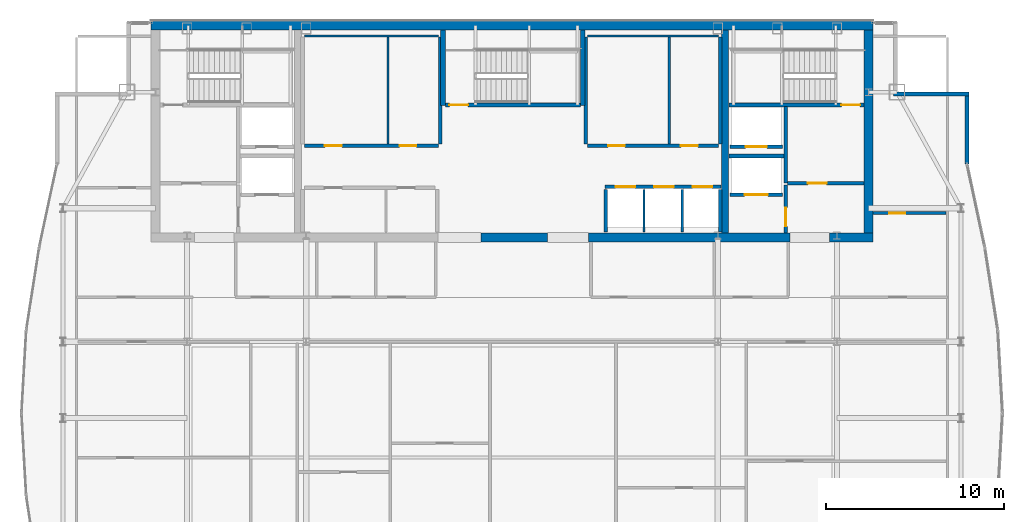
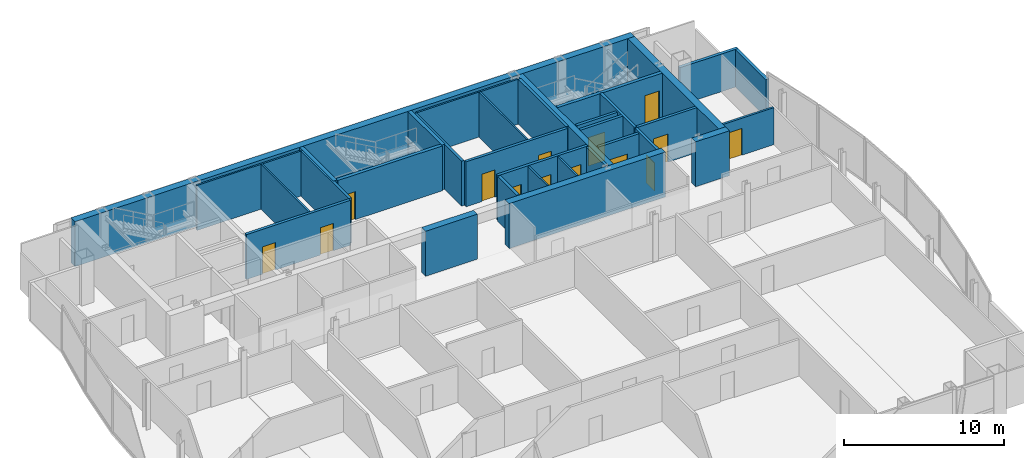
# One storey, part 26 of 29: 33 walls, 14 doors, 14 openings.
"""IFC4 building model written with IfcOpenShell, lengths in metres."""

import ifcopenshell
import ifcopenshell.guid

model = None  # the IFC model being written
_history = None  # IfcOwnerHistory: only IFC2X3 demands one
_inside = {}  # id of a spatial element -> (the spatial element, [elements in it])
_under = {}  # id of a project, library or spatial element -> (it, [spatial elements below it])
_declared = {}  # id of a project -> (the project, [libraries it declares])
_typed = {}  # id of a type object -> (the type object, [elements of that type])
_made_of = {}  # id of a material, layer set ... -> (it, [elements and type objects made of it])


def new_model(schema):
    """Start an empty IFC model of exactly this schema.

    Asked for "IFC4X3", IfcOpenShell would pick the latest addendum, in which some entities
    have other attributes; the version numbers below select the first issue.
    IFC2X3 requires an IfcOwnerHistory on every rooted entity: one is made here for all.
    """
    global model, _history
    if schema == "IFC4X3":
        model = ifcopenshell.file(schema_version=(4, 3, 0, 0))
    else:
        model = ifcopenshell.file(schema=schema)
    _inside.clear()
    _under.clear()
    _declared.clear()
    _typed.clear()
    _made_of.clear()
    _history = None
    if model.schema == "IFC2X3":
        org = make("IfcOrganization", Name="unknown")
        user = make(
            "IfcPersonAndOrganization",
            ThePerson=make("IfcPerson", FamilyName="unknown"),
            TheOrganization=org,
        )
        app = make(
            "IfcApplication",
            ApplicationDeveloper=org,
            Version="unknown",
            ApplicationFullName="unknown",
            ApplicationIdentifier="unknown",
        )
        _history = make(
            "IfcOwnerHistory",
            OwningUser=user,
            OwningApplication=app,
            ChangeAction="ADDED",
            CreationDate=0,
        )
    return model


def make(cls, **values):
    """One entity of the class cls with the attributes given. An attribute that is None is left unset."""
    return model.create_entity(
        cls, **{name: value for name, value in values.items() if value is not None}
    )


def rooted(cls, **values):
    """An entity with a GlobalId (a new one), such as an element, a storey or a relation."""
    return make(cls, GlobalId=ifcopenshell.guid.new(), OwnerHistory=_history, **values)


def si_unit(unit_type, name, prefix=None):
    """IfcSIUnit, for example si_unit("LENGTHUNIT", "METRE", prefix="MILLI")."""
    return make("IfcSIUnit", UnitType=unit_type, Prefix=prefix, Name=name)


def assignment(units):
    """IfcUnitAssignment: the units of a project."""
    return None if units is None else make("IfcUnitAssignment", Units=units)


def point(xyz):
    """IfcCartesianPoint."""
    return None if xyz is None else make("IfcCartesianPoint", Coordinates=xyz)


def direction(xyz):
    """IfcDirection."""
    return None if xyz is None else make("IfcDirection", DirectionRatios=xyz)


def frame(location, z_axis=None, x_axis=None):
    """IfcAxis2Placement3D, a coordinate frame: its origin and axes. An axis left out is left unset."""
    return make(
        "IfcAxis2Placement3D",
        Location=point(location),
        Axis=direction(z_axis),
        RefDirection=direction(x_axis),
    )


def frame_2d(location, x_axis=None):
    """IfcAxis2Placement2D, a coordinate frame in the plane: its origin and x axis."""
    return make(
        "IfcAxis2Placement2D", Location=point(location), RefDirection=direction(x_axis)
    )


def origin():
    """The frame at (0, 0, 0) with its axes left unset."""
    return frame((0.0, 0.0, 0.0))


def place(relative_to, where):
    """IfcLocalPlacement: puts the frame where relative to a parent placement (None: the world)."""
    return make(
        "IfcLocalPlacement", PlacementRelTo=relative_to, RelativePlacement=where
    )


def context(
    kind, dimensions, precision=None, world=None, true_north=None, identifier=None
):
    """IfcGeometricRepresentationContext, for example the 3D "Model" context."""
    return make(
        "IfcGeometricRepresentationContext",
        ContextIdentifier=identifier,
        ContextType=kind,
        CoordinateSpaceDimension=dimensions,
        Precision=precision,
        WorldCoordinateSystem=world,
        TrueNorth=true_north,
    )


def subcontext(parent, identifier, kind, view, scale=None):
    """IfcGeometricRepresentationSubContext, for example "Body" below "Model"."""
    return make(
        "IfcGeometricRepresentationSubContext",
        ContextIdentifier=identifier,
        ContextType=kind,
        ParentContext=parent,
        TargetScale=scale,
        TargetView=view,
    )


def project(units=None, contexts=None):
    """IfcProject with its units and contexts."""
    return rooted(
        "IfcProject",
        Name="project",
        RepresentationContexts=contexts,
        UnitsInContext=assignment(units),
    )


def spatial(cls, under=None, at=None, **own):
    """A site, building, storey or space (cls), placed at a placement, below another one or the project."""
    s = rooted(cls, ObjectPlacement=at, **own)
    if under is not None:
        _under.setdefault(under.id(), (under, []))[1].append(s)
    return s


def profile(cls, at=None, kind="AREA", **sizes):
    """A parametric profile (cls). Its sizes go by their IFC names, for example OverallWidth=200.0."""
    return make(cls, ProfileType=kind, Position=at, **sizes)


def rectangle(**sizes):
    """IfcRectangleProfileDef."""
    return profile("IfcRectangleProfileDef", **sizes)


def extrude(swept, where, along, depth):
    """IfcExtrudedAreaSolid: the profile swept, set in the frame where, extruded along a direction by depth."""
    return make(
        "IfcExtrudedAreaSolid",
        SweptArea=swept,
        Position=where,
        ExtrudedDirection=direction(along),
        Depth=depth,
    )


def shape(context_of_items, identifier, shape_type, items):
    """IfcShapeRepresentation: the items that make up one representation, for example the "Body"."""
    return make(
        "IfcShapeRepresentation",
        ContextOfItems=context_of_items,
        RepresentationIdentifier=identifier,
        RepresentationType=shape_type,
        Items=items,
    )


def material(Name=None, Category=None):
    """IfcMaterial."""
    return make("IfcMaterial", Name=Name, Category=Category)


def layer(
    of_material, thickness, ventilated=None, Name=None, Category=None, Priority=None
):
    """IfcMaterialLayer: one layer of a wall or slab, of a material (None: an air gap)."""
    return make(
        "IfcMaterialLayer",
        Material=of_material,
        LayerThickness=thickness,
        IsVentilated=ventilated,
        Name=Name,
        Category=Category,
        Priority=Priority,
    )


def layer_set(layers, Name=None):
    """IfcMaterialLayerSet."""
    return make("IfcMaterialLayerSet", MaterialLayers=layers, LayerSetName=Name)


def made_of(thing, what):
    """Note that an element or type object is made of a material, layer set ...; save() writes the relation."""
    if what is not None:
        _made_of.setdefault(what.id(), (what, []))[1].append(thing)
    return thing


def type_object(cls, material=None, **own):
    """A type object (cls), such as IfcWallType, which elements share."""
    return made_of(rooted(cls, **own), material)


def element(
    cls,
    number,
    at=None,
    inside=None,
    cuts=None,
    type_object=None,
    material=None,
    context=None,
    identifier="Body",
    shape_type=None,
    held_by="IfcProductDefinitionShape",
    body=None,
    shapes=None,
    **own,
):
    """One element of the class cls, such as IfcWall. Its Tag is "e" and its number.

    at: its placement. inside: the storey or other place that contains it. cuts: it is an
    opening in that element (IfcRelVoidsElement). A single representation is given by context,
    identifier, shape_type and body (its items); several are given by shapes. held_by: the class
    of the entity that holds the representations. save() writes the other relations.
    """
    e = rooted(cls, Tag="e%d" % number, ObjectPlacement=at, **own)
    if body is not None:
        shapes = [shape(context, identifier, shape_type, body)]
    if shapes is not None:
        e.Representation = make(held_by, Representations=shapes)
    if inside is not None:
        _inside.setdefault(inside.id(), (inside, []))[1].append(e)
    if cuts is not None:
        rooted(
            "IfcRelVoidsElement", RelatingBuildingElement=cuts, RelatedOpeningElement=e
        )
    if type_object is not None:
        _typed.setdefault(type_object.id(), (type_object, []))[1].append(e)
    return made_of(e, material)


def fill(opening, filler):
    """IfcRelFillsElement: the door or window that sits in an opening."""
    return rooted(
        "IfcRelFillsElement",
        RelatingOpeningElement=opening,
        RelatedBuildingElement=filler,
    )


def aggregate(whole, parts):
    """IfcRelAggregates: a whole, such as a stair, and the parts it consists of."""
    return rooted("IfcRelAggregates", RelatingObject=whole, RelatedObjects=parts)


def save(model, path):
    """Write the relations noted so far, then the file.

    IfcRelAggregates (storeys below a building ...), IfcRelContainedInSpatialStructure (elements
    in a storey), IfcRelDefinesByType, IfcRelAssociatesMaterial and IfcRelDeclares: one each for
    every whole, place, type object, material and project.
    """
    for whole, parts in _under.values():
        aggregate(whole, parts)
    for where, things in _inside.values():
        rooted(
            "IfcRelContainedInSpatialStructure",
            RelatedElements=things,
            RelatingStructure=where,
        )
    for kind, things in _typed.values():
        rooted("IfcRelDefinesByType", RelatedObjects=things, RelatingType=kind)
    for what, things in _made_of.values():
        rooted("IfcRelAssociatesMaterial", RelatedObjects=things, RelatingMaterial=what)
    for by, libraries in _declared.values():
        rooted("IfcRelDeclares", RelatingContext=by, RelatedDefinitions=libraries)
    model.write(path)


model = new_model("IFC4")

# Units and contexts
model_context = context("Model", 3, precision=1e-05, world=origin(), true_north=direction((0.0, 1.0)))
body_context = subcontext(model_context, "Body", "Model", "MODEL_VIEW")
ifc_project = project(units=[si_unit("LENGTHUNIT", "METRE"), si_unit("AREAUNIT", "SQUARE_METRE"), si_unit("VOLUMEUNIT", "CUBIC_METRE"), si_unit("PLANEANGLEUNIT", "RADIAN"), si_unit("MASSUNIT", "GRAM", prefix="KILO")], contexts=[model_context])

# Site, building, storey
site_placement = place(None, origin())
site = spatial("IfcSite", under=ifc_project, at=site_placement, CompositionType="ELEMENT")
building_placement = place(site_placement, origin())
building = spatial("IfcBuilding", under=site, at=building_placement, Name="Khoronbel Lancet Exchange", CompositionType="ELEMENT")
storey_placement = place(building_placement, frame((0.0, 0.0, 329.0)))
storey = spatial("IfcBuildingStorey", under=building, at=storey_placement, Name="L85", CompositionType="ELEMENT", Elevation=329.0)

# Walls
ifc_material_1 = material(Name="Concrete C60/75", Category="concrete")
ifc_layer_1 = layer(ifc_material_1, 0.5, Name="Concrete C60/75")
ifc_layer_set_1 = layer_set([ifc_layer_1], Name="Concrete C60/75")
wall_type_1 = type_object("IfcWallType", Name="WL-CW4", PredefinedType="SHEAR", material=ifc_layer_set_1)
wall_1_placement = place(storey_placement, frame((16.199951171875, 53.449951171875, 0.0), z_axis=(0.0, 0.0, 1.0), x_axis=(1.0, 0.0, 0.0)))
element("IfcWall", 1, at=wall_1_placement, inside=storey, type_object=wall_type_1, Name="Level L85 rear core north shear wall", PredefinedType="SHEAR", context=body_context, shape_type="SweptSolid", body=[
    extrude(rectangle(XDim=40.5, YDim=0.5, at=frame_2d((20.25, 0.0))), origin(), (0.0, 0.0, 1.0), 3.43994140625),
])
wall_2_placement = place(storey_placement, frame((56.449951171875, 53.199951171875, 0.0), z_axis=(0.0, 0.0, 1.0), x_axis=(0.0, -1.0, 0.0)))
element("IfcWall", 2, at=wall_2_placement, inside=storey, type_object=wall_type_1, Name="Level L85 rear core east shear wall", PredefinedType="SHEAR", context=body_context, shape_type="SweptSolid", body=[
    extrude(rectangle(XDim=11.39990234375, YDim=0.5, at=frame_2d((5.699951171875, 0.0))), origin(), (0.0, 0.0, 1.0), 3.43994140625),
])
wall_3_placement = place(storey_placement, frame((38.449951171875, 41.550048828125, 0.0), z_axis=(0.0, 0.0, 1.0), x_axis=(-1.0, 0.0, 0.0)))
element("IfcWall", 3, at=wall_3_placement, inside=storey, type_object=wall_type_1, Name="Level L85 rear core south shear wall pier P3", PredefinedType="SHEAR", context=body_context, shape_type="SweptSolid", body=[
    extrude(rectangle(XDim=3.75, YDim=0.5, at=frame_2d((1.875, 0.0))), origin(), (0.0, 0.0, 1.0), 3.43994140625),
])
wall_4_placement = place(storey_placement, frame((52.050048828125, 41.550048828125, 0.0), z_axis=(0.0, 0.0, 1.0), x_axis=(-1.0, 0.0, 0.0)))
element("IfcWall", 4, at=wall_4_placement, inside=storey, type_object=wall_type_1, Name="Level L85 rear core south shear wall pier P4", PredefinedType="SHEAR", context=body_context, shape_type="SweptSolid", body=[
    extrude(rectangle(XDim=11.300048828125, YDim=0.5, at=frame_2d((5.64990234375, 0.0))), origin(), (0.0, 0.0, 1.0), 3.43994140625),
])
wall_5_placement = place(storey_placement, frame((56.699951171875, 41.550048828125, 0.0), z_axis=(0.0, 0.0, 1.0), x_axis=(-1.0, 0.0, 0.0)))
element("IfcWall", 5, at=wall_5_placement, inside=storey, type_object=wall_type_1, Name="Level L85 rear core south shear wall pier P5", PredefinedType="SHEAR", context=body_context, shape_type="SweptSolid", body=[
    extrude(rectangle(XDim=2.449951171875, YDim=0.5, at=frame_2d((1.22509765625, 0.0))), origin(), (0.0, 0.0, 1.0), 3.43994140625),
])
ifc_material_2 = material(Name="Precast concrete C40/50", Category="concrete")
ifc_layer_2 = layer(ifc_material_2, 0.25, Name="Precast concrete C40/50")
ifc_layer_set_2 = layer_set([ifc_layer_2], Name="Precast concrete C40/50")
wall_type_2 = type_object("IfcWallType", Name="WL-EXT250", PredefinedType="SOLIDWALL", material=ifc_layer_set_2)
wall_6_placement = place(storey_placement, frame((57.85009765625, 49.610107421875, 0.0), z_axis=(0.0, 0.0, 1.0), x_axis=(1.0, 0.0, 0.0)))
element("IfcWall", 6, at=wall_6_placement, inside=storey, type_object=wall_type_2, Name="Level L85 notched-corner limestone pier 15", PredefinedType="SOLIDWALL", context=body_context, shape_type="SweptSolid", body=[
    extrude(rectangle(XDim=4.219970703125, YDim=0.219970703125, at=frame_2d((2.10986328125, 0.0))), origin(), (0.0, 0.0, 1.0), 2.8798828125),
])
wall_7_placement = place(storey_placement, frame((61.9599609375, 49.5, 0.0), z_axis=(0.0, 0.0, 1.0), x_axis=(0.0, -1.0, 0.0)))
element("IfcWall", 7, at=wall_7_placement, inside=storey, type_object=wall_type_2, Name="Level L85 notched-corner limestone pier 16", PredefinedType="SOLIDWALL", context=body_context, shape_type="SweptSolid", body=[
    extrude(rectangle(XDim=3.82958984375, YDim=0.219970703125, at=frame_2d((1.914794921875, 0.0))), origin(), (0.0, 0.0, 1.0), 2.8798828125),
])

# Wall, opening, door
ifc_material_3 = material(Name="Acoustic Metal-Stud & Mineral-Wool Gypsum Partition 120 mm", Category="gypsum")
ifc_layer_3 = layer(ifc_material_3, 0.1201171875, Name="Acoustic Metal-Stud & Mineral-Wool Gypsum Partition 120 mm")
ifc_layer_set_3 = layer_set([ifc_layer_3], Name="Acoustic Metal-Stud & Mineral-Wool Gypsum Partition 120 mm")
wall_type_3 = type_object("IfcWallType", Name="WL-PRT120", PredefinedType="PARTITIONING", material=ifc_layer_set_3)
wall_8_placement = place(storey_placement, frame((56.699951171875, 42.919921875, 0.0), z_axis=(0.0, 0.0, 1.0), x_axis=(1.0, 0.0, 0.0)))
wall_8 = element("IfcWall", 8, at=wall_8_placement, inside=storey, type_object=wall_type_3, Name="Level L85 interior partition PW-NE-H", PredefinedType="PARTITIONING", context=body_context, shape_type="SweptSolid", body=[
    extrude(rectangle(XDim=4.10498046875, YDim=0.14990234375, at=frame_2d((2.052490234375, 0.0))), origin(), (0.0, 0.0, 1.0), 2.830078125),
])
opening_1_placement = place(wall_8_placement, frame((0.89990234375, 0.0, 0.0)))
opening_1 = element("IfcOpeningElement", 9, at=opening_1_placement, cuts=wall_8, Name="Opening D5", PredefinedType="OPENING", context=body_context, shape_type="SweptSolid", body=[
    extrude(rectangle(XDim=0.89990234375, YDim=2.050048828125, at=frame_2d((0.449951171875, 1.02490234375))), frame((0.0, 0.0849609375, 0.0), z_axis=(0.0, -1.0, 0.0), x_axis=(1.0, 0.0, 0.0)), (0.0, 0.0, 1.0), 0.169921875),
])
ifc_material_4 = material(Name="Acoustic Timber Pantry & Support Door", Category="wood")
door_type_1 = type_object("IfcDoorType", Name="DR-D5", OperationType="NOTDEFINED", PredefinedType="DOOR", material=ifc_material_4)
door_1_placement = place(opening_1_placement, origin())
door_1 = element("IfcDoor", 10, at=door_1_placement, inside=storey, type_object=door_type_1, Name="NE north room door L85-1", OperationType="SINGLE_SWING_RIGHT", OverallHeight=2.050048828125, OverallWidth=0.89990234375, PredefinedType="DOOR", context=body_context, shape_type="SweptSolid", body=[
    extrude(rectangle(XDim=0.89990234375, YDim=2.050048828125, at=frame_2d((0.449951171875, 1.02490234375))), frame((0.0, 0.02490234375, 0.0), z_axis=(0.0, -1.0, 0.0), x_axis=(1.0, 0.0, 0.0)), (0.0, 0.0, 1.0), 0.050048828125),
])
fill(opening_1, door_1)

# Walls
ifc_material_5 = material(Name="Fire-Rated Metal-Stud & Mineral-Wool Gypsum Partition 120 mm", Category="gypsum")
ifc_layer_4 = layer(ifc_material_5, 0.1201171875, Name="Fire-Rated Metal-Stud & Mineral-Wool Gypsum Partition 120 mm")
ifc_layer_set_4 = layer_set([ifc_layer_4], Name="Fire-Rated Metal-Stud & Mineral-Wool Gypsum Partition 120 mm")
wall_type_4 = type_object("IfcWallType", Name="WL-PRT120F", PredefinedType="PARTITIONING", material=ifc_layer_set_4)
wall_9_placement = place(storey_placement, frame((24.804931640625, 52.860107421875, 0.0), z_axis=(0.0, 0.0, 1.0), x_axis=(1.0, 0.0, 0.0)))
element("IfcWall", 11, at=wall_9_placement, inside=storey, type_object=wall_type_4, Name="Level L85 interior partition CW-PL-RN", PredefinedType="PARTITIONING", context=body_context, shape_type="SweptSolid", body=[
    extrude(rectangle(XDim=7.510009765625, YDim=0.1201171875, at=frame_2d((3.7548828125, 0.0))), origin(), (0.0, 0.0, 1.0), 3.43994140625),
])
wall_10_placement = place(storey_placement, frame((29.486328125, 46.804931640625, 0.0), z_axis=(0.0, 0.0, 1.0), x_axis=(0.0, 1.0, 0.0)))
element("IfcWall", 12, at=wall_10_placement, inside=storey, type_object=wall_type_4, Name="Level L85 interior partition CW-PL-RS2", PredefinedType="PARTITIONING", context=body_context, shape_type="SweptSolid", body=[
    extrude(rectangle(XDim=5.989990234375, YDim=0.1201171875, at=frame_2d((2.9951171875, 0.0))), origin(), (0.0, 0.0, 1.0), 3.43994140625),
])
wall_11_placement = place(storey_placement, frame((40.68505859375, 52.860107421875, 0.0), z_axis=(0.0, 0.0, 1.0), x_axis=(1.0, 0.0, 0.0)))
element("IfcWall", 13, at=wall_11_placement, inside=storey, type_object=wall_type_4, Name="Level L85 interior partition CW-PH-RN", PredefinedType="PARTITIONING", context=body_context, shape_type="SweptSolid", body=[
    extrude(rectangle(XDim=7.349853515625, YDim=0.1201171875, at=frame_2d((3.6748046875, 0.0))), origin(), (0.0, 0.0, 1.0), 3.43994140625),
])
wall_12_placement = place(storey_placement, frame((45.26708984375, 46.804931640625, 0.0), z_axis=(0.0, 0.0, 1.0), x_axis=(0.0, 1.0, 0.0)))
element("IfcWall", 14, at=wall_12_placement, inside=storey, type_object=wall_type_4, Name="Level L85 interior partition CW-PH-RS2", PredefinedType="PARTITIONING", context=body_context, shape_type="SweptSolid", body=[
    extrude(rectangle(XDim=5.989990234375, YDim=0.1201171875, at=frame_2d((2.9951171875, 0.0))), origin(), (0.0, 0.0, 1.0), 3.43994140625),
])
for number, where, z_axis, x_axis, name in (
    (15, (43.860107421875, 41.85009765625, 0.0), (0.0, 0.0, 1.0), (0.0, 1.0, 0.0), "Level L85 interior partition CW-PX-D1"),
    (16, (46.0, 41.85009765625, 0.0), (0.0, 0.0, 1.0), (0.0, 1.0, 0.0), "Level L85 interior partition CW-PX-D2"),
):
    element("IfcWall", number, at=place(storey_placement, frame(where, z_axis=z_axis, x_axis=x_axis)), inside=storey, type_object=wall_type_4, Name=name, PredefinedType="PARTITIONING", context=body_context, shape_type="SweptSolid", body=[
        extrude(rectangle(XDim=2.39990234375, YDim=0.1201171875, at=frame_2d((1.199951171875, 0.0))), origin(), (0.0, 0.0, 1.0), 3.43994140625),
    ])

# Wall, openings, doors
ifc_material_6 = material(Name="Autoclaved Aerated Concrete Blockwork 200 mm", Category="masonry")
ifc_layer_5 = layer(ifc_material_6, 0.199951171875, Name="Autoclaved Aerated Concrete Blockwork 200 mm")
ifc_layer_set_5 = layer_set([ifc_layer_5], Name="Autoclaved Aerated Concrete Blockwork 200 mm")
wall_type_5 = type_object("IfcWallType", Name="WL-PRT200", PredefinedType="PARTITIONING", material=ifc_layer_set_5)
wall_13_placement = place(storey_placement, frame((41.679931640625, 44.39990234375, 0.0), z_axis=(0.0, 0.0, 1.0), x_axis=(1.0, 0.0, 0.0)))
wall_13 = element("IfcWall", 17, at=wall_13_placement, inside=storey, type_object=wall_type_5, Name="Level L85 elevator hoistway landing front wall PXE", PredefinedType="PARTITIONING", context=body_context, shape_type="SweptSolid", body=[
    extrude(rectangle(XDim=6.47998046875, YDim=0.199951171875, at=frame_2d((3.239990234375, 0.0))), origin(), (0.0, 0.0, 1.0), 3.43994140625),
])
opening_2_placement = place(wall_13_placement, frame((0.580078125, 0.0, 0.0)))
opening_2 = element("IfcOpeningElement", 18, at=opening_2_placement, cuts=wall_13, Name="Opening LD-PX1", PredefinedType="OPENING", context=body_context, shape_type="SweptSolid", body=[
    extrude(rectangle(XDim=1.10009765625, YDim=2.179931640625, at=frame_2d((0.550048828125, 1.08984375))), frame((0.0, 0.10986328125, 0.0), z_axis=(0.0, -1.0, 0.0), x_axis=(1.0, 0.0, 0.0)), (0.0, 0.0, 1.0), 0.219970703125),
])
opening_3_placement = place(wall_13_placement, frame((2.739990234375, 0.0, 0.0)))
opening_3 = element("IfcOpeningElement", 19, at=opening_3_placement, cuts=wall_13, Name="Opening LD-PX2", PredefinedType="OPENING", context=body_context, shape_type="SweptSolid", body=[
    extrude(rectangle(XDim=1.10009765625, YDim=2.179931640625, at=frame_2d((0.550048828125, 1.08984375))), frame((0.0, 0.10986328125, 0.0), z_axis=(0.0, -1.0, 0.0), x_axis=(1.0, 0.0, 0.0)), (0.0, 0.0, 1.0), 0.219970703125),
])
opening_4_placement = place(wall_13_placement, frame((4.89990234375, 0.0, 0.0)))
opening_4 = element("IfcOpeningElement", 20, at=opening_4_placement, cuts=wall_13, Name="Opening LD-PX3", PredefinedType="OPENING", context=body_context, shape_type="SweptSolid", body=[
    extrude(rectangle(XDim=1.10009765625, YDim=2.179931640625, at=frame_2d((0.550048828125, 1.08984375))), frame((0.0, 0.10986328125, 0.0), z_axis=(0.0, -1.0, 0.0), x_axis=(1.0, 0.0, 0.0)), (0.0, 0.0, 1.0), 0.219970703125),
])
ifc_material_7 = material(Name="Brushed Bronze Bi-Parting Elevator Landing Door", Category="steel")
door_type_2 = type_object("IfcDoorType", Name="DR-LD-PAX", OperationType="NOTDEFINED", PredefinedType="DOOR", material=ifc_material_7)
door_2_placement = place(opening_2_placement, origin())
door_2 = element("IfcDoor", 21, at=door_2_placement, inside=storey, type_object=door_type_2, Name="Elevator landing sliding door LD-PX1 L85", OperationType="SLIDING_TO_LEFT", OverallHeight=2.179931640625, OverallWidth=1.10009765625, PredefinedType="DOOR", context=body_context, shape_type="SweptSolid", body=[
    extrude(rectangle(XDim=1.10009765625, YDim=2.179931640625, at=frame_2d((0.550048828125, 1.08984375))), frame((0.0, 0.02490234375, 0.0), z_axis=(0.0, -1.0, 0.0), x_axis=(1.0, 0.0, 0.0)), (0.0, 0.0, 1.0), 0.050048828125),
])
fill(opening_2, door_2)
door_3_placement = place(opening_3_placement, origin())
door_3 = element("IfcDoor", 22, at=door_3_placement, inside=storey, type_object=door_type_2, Name="Elevator landing sliding door LD-PX2 L85", OperationType="SLIDING_TO_LEFT", OverallHeight=2.179931640625, OverallWidth=1.10009765625, PredefinedType="DOOR", context=body_context, shape_type="SweptSolid", body=[
    extrude(rectangle(XDim=1.10009765625, YDim=2.179931640625, at=frame_2d((0.550048828125, 1.08984375))), frame((0.0, 0.02490234375, 0.0), z_axis=(0.0, -1.0, 0.0), x_axis=(1.0, 0.0, 0.0)), (0.0, 0.0, 1.0), 0.050048828125),
])
fill(opening_3, door_3)
door_4_placement = place(opening_4_placement, origin())
door_4 = element("IfcDoor", 23, at=door_4_placement, inside=storey, type_object=door_type_2, Name="Elevator landing sliding door LD-PX3 L85", OperationType="SLIDING_TO_LEFT", OverallHeight=2.179931640625, OverallWidth=1.10009765625, PredefinedType="DOOR", context=body_context, shape_type="SweptSolid", body=[
    extrude(rectangle(XDim=1.10009765625, YDim=2.179931640625, at=frame_2d((0.550048828125, 1.08984375))), frame((0.0, 0.02490234375, 0.0), z_axis=(0.0, -1.0, 0.0), x_axis=(1.0, 0.0, 0.0)), (0.0, 0.0, 1.0), 0.050048828125),
])
fill(opening_4, door_4)

# Wall, opening, door
wall_14_placement = place(storey_placement, frame((51.610107421875, 43.949951171875, 0.0), z_axis=(0.0, 0.0, 1.0), x_axis=(-1.0, 0.0, 0.0)))
wall_14 = element("IfcWall", 24, at=wall_14_placement, inside=storey, type_object=wall_type_5, Name="Level L85 elevator hoistway landing front wall SVLE", PredefinedType="PARTITIONING", context=body_context, shape_type="SweptSolid", body=[
    extrude(rectangle(XDim=2.920166015625, YDim=0.199951171875, at=frame_2d((1.4599609375, 0.0))), origin(), (0.0, 0.0, 1.0), 3.43994140625),
])
opening_5_placement = place(wall_14_placement, frame((0.81005859375, 0.0, 0.0)))
opening_5 = element("IfcOpeningElement", 25, at=opening_5_placement, cuts=wall_14, Name="Opening LD-SVL2", PredefinedType="OPENING", context=body_context, shape_type="SweptSolid", body=[
    extrude(rectangle(XDim=1.300048828125, YDim=2.179931640625, at=frame_2d((0.64990234375, 1.08984375))), frame((0.0, 0.10986328125, 0.0), z_axis=(0.0, -1.0, 0.0), x_axis=(1.0, 0.0, 0.0)), (0.0, 0.0, 1.0), 0.219970703125),
])
ifc_material_8 = material(Name="Heavy-Duty Bi-Parting Goods Lift Landing Door", Category="steel")
door_type_3 = type_object("IfcDoorType", Name="DR-LD-SVL", OperationType="NOTDEFINED", PredefinedType="DOOR", material=ifc_material_8)
door_5_placement = place(opening_5_placement, origin())
door_5 = element("IfcDoor", 26, at=door_5_placement, inside=storey, type_object=door_type_3, Name="Elevator landing sliding door LD-SVL2 L85", OperationType="SLIDING_TO_LEFT", OverallHeight=2.179931640625, OverallWidth=1.300048828125, PredefinedType="DOOR", context=body_context, shape_type="SweptSolid", body=[
    extrude(rectangle(XDim=1.300048828125, YDim=2.179931640625, at=frame_2d((0.64990234375, 1.08984375))), frame((0.0, 0.02490234375, 0.0), z_axis=(0.0, -1.0, 0.0), x_axis=(1.0, 0.0, 0.0)), (0.0, 0.0, 1.0), 0.050048828125),
])
fill(opening_5, door_5)

wall_15_placement = place(storey_placement, frame((51.610107421875, 46.64990234375, 0.0), z_axis=(0.0, 0.0, 1.0), x_axis=(-1.0, 0.0, 0.0)))
wall_15 = element("IfcWall", 27, at=wall_15_placement, inside=storey, type_object=wall_type_5, Name="Level L85 elevator hoistway landing front wall FFLE", PredefinedType="PARTITIONING", context=body_context, shape_type="SweptSolid", body=[
    extrude(rectangle(XDim=2.920166015625, YDim=0.199951171875, at=frame_2d((1.4599609375, 0.0))), origin(), (0.0, 0.0, 1.0), 3.43994140625),
])
opening_6_placement = place(wall_15_placement, frame((0.860107421875, 0.0, 0.0)))
opening_6 = element("IfcOpeningElement", 28, at=opening_6_placement, cuts=wall_15, Name="Opening LD-FFL2", PredefinedType="OPENING", context=body_context, shape_type="SweptSolid", body=[
    extrude(rectangle(XDim=1.199951171875, YDim=2.179931640625, at=frame_2d((0.60009765625, 1.08984375))), frame((0.0, 0.10986328125, 0.0), z_axis=(0.0, -1.0, 0.0), x_axis=(1.0, 0.0, 0.0)), (0.0, 0.0, 1.0), 0.219970703125),
])
ifc_material_9 = material(Name="Fire-Rated Stainless Bi-Parting Firefighting Lift Door", Category="steel")
door_type_4 = type_object("IfcDoorType", Name="DR-LD-FFL", OperationType="NOTDEFINED", PredefinedType="DOOR", material=ifc_material_9)
door_6_placement = place(opening_6_placement, origin())
door_6 = element("IfcDoor", 29, at=door_6_placement, inside=storey, type_object=door_type_4, Name="Elevator landing sliding door LD-FFL2 L85", OperationType="SLIDING_TO_LEFT", OverallHeight=2.179931640625, OverallWidth=1.199951171875, PredefinedType="DOOR", context=body_context, shape_type="SweptSolid", body=[
    extrude(rectangle(XDim=1.199951171875, YDim=2.179931640625, at=frame_2d((0.60009765625, 1.08984375))), frame((0.0, 0.02490234375, 0.0), z_axis=(0.0, -1.0, 0.0), x_axis=(1.0, 0.0, 0.0)), (0.0, 0.0, 1.0), 0.050048828125),
])
fill(opening_6, door_6)

# Wall
wall_16_placement = place(storey_placement, frame((51.800048828125, 44.60009765625, 0.0), z_axis=(0.0, 0.0, 1.0), x_axis=(0.0, 1.0, 0.0)))
element("IfcWall", 30, at=wall_16_placement, inside=storey, type_object=wall_type_5, Name="Level L85 interior partition CW-FFLE-W", PredefinedType="PARTITIONING", context=body_context, shape_type="SweptSolid", body=[
    extrude(rectangle(XDim=4.2998046875, YDim=0.199951171875, at=frame_2d((2.14990234375, 0.0))), origin(), (0.0, 0.0, 1.0), 3.43994140625),
])

# Wall, opening, door
wall_17_placement = place(storey_placement, frame((51.89990234375, 44.60009765625, 0.0), z_axis=(0.0, 0.0, 1.0), x_axis=(1.0, 0.0, 0.0)))
wall_17 = element("IfcWall", 31, at=wall_17_placement, inside=storey, type_object=wall_type_5, Name="Level L85 interior partition CW-FFLE-S", PredefinedType="PARTITIONING", context=body_context, shape_type="SweptSolid", body=[
    extrude(rectangle(XDim=4.300048828125, YDim=0.199951171875, at=frame_2d((2.14990234375, 0.0))), origin(), (0.0, 0.0, 1.0), 3.43994140625),
])
opening_7_placement = place(wall_17_placement, frame((1.14990234375, 0.0, 0.0)))
opening_7 = element("IfcOpeningElement", 32, at=opening_7_placement, cuts=wall_17, Name="Opening FD1", PredefinedType="OPENING", context=body_context, shape_type="SweptSolid", body=[
    extrude(rectangle(XDim=1.050048828125, YDim=2.14990234375, at=frame_2d((0.52490234375, 1.074951171875))), frame((0.0, 0.10986328125, 0.0), z_axis=(0.0, -1.0, 0.0), x_axis=(1.0, 0.0, 0.0)), (0.0, 0.0, 1.0), 0.219970703125),
])
ifc_material_10 = material(Name="Fire-Rated Painted Steel Door Assembly", Category="steel")
door_type_5 = type_object("IfcDoorType", Name="DR-FD1", OperationType="NOTDEFINED", PredefinedType="DOOR", material=ifc_material_10)
door_7_placement = place(opening_7_placement, origin())
door_7 = element("IfcDoor", 33, at=door_7_placement, inside=storey, type_object=door_type_5, Name="East firefighting lobby FD90S door L85-1", OperationType="SINGLE_SWING_RIGHT", OverallHeight=2.14990234375, OverallWidth=1.050048828125, PredefinedType="DOOR", context=body_context, shape_type="SweptSolid", body=[
    extrude(rectangle(XDim=1.050048828125, YDim=2.14990234375, at=frame_2d((0.52490234375, 1.074951171875))), frame((0.0, 0.02490234375, 0.0), z_axis=(0.0, -1.0, 0.0), x_axis=(1.0, 0.0, 0.0)), (0.0, 0.0, 1.0), 0.050048828125),
])
fill(opening_7, door_7)

# Wall
wall_18_placement = place(storey_placement, frame((48.6298828125, 46.1201171875, 0.0), z_axis=(0.0, 0.0, 1.0), x_axis=(1.0, 0.0, 0.0)))
element("IfcWall", 34, at=wall_18_placement, inside=storey, type_object=wall_type_5, Name="Level L85 interior partition CW-FFL2-S", PredefinedType="PARTITIONING", context=body_context, shape_type="SweptSolid", body=[
    extrude(rectangle(XDim=3.070068359375, YDim=0.199951171875, at=frame_2d((1.53515625, 0.0))), origin(), (0.0, 0.0, 1.0), 3.43994140625),
])

# Wall, opening, door
wall_19_placement = place(storey_placement, frame((51.800048828125, 41.800048828125, 0.0), z_axis=(0.0, 0.0, 1.0), x_axis=(0.0, 1.0, 0.0)))
wall_19 = element("IfcWall", 35, at=wall_19_placement, inside=storey, type_object=wall_type_5, Name="Level L85 interior partition CW-SVLE-E", PredefinedType="PARTITIONING", context=body_context, shape_type="SweptSolid", body=[
    extrude(rectangle(XDim=2.695068359375, YDim=0.199951171875, at=frame_2d((1.34765625, 0.0))), origin(), (0.0, 0.0, 1.0), 3.43994140625),
])
opening_8_placement = place(wall_19_placement, frame((0.3798828125, 0.0, 0.0)))
opening_8 = element("IfcOpeningElement", 36, at=opening_8_placement, cuts=wall_19, Name="Opening FD1", PredefinedType="OPENING", context=body_context, shape_type="SweptSolid", body=[
    extrude(rectangle(XDim=1.050048828125, YDim=2.14990234375, at=frame_2d((0.52490234375, 1.074951171875))), frame((0.0, 0.10986328125, 0.0), z_axis=(0.0, -1.0, 0.0), x_axis=(1.0, 0.0, 0.0)), (0.0, 0.0, 1.0), 0.219970703125),
])
door_8_placement = place(opening_8_placement, origin())
door_8 = element("IfcDoor", 37, at=door_8_placement, inside=storey, type_object=door_type_5, Name="East service lift lobby door L85-1", OperationType="SINGLE_SWING_LEFT", OverallHeight=2.14990234375, OverallWidth=1.050048828125, PredefinedType="DOOR", context=body_context, shape_type="SweptSolid", body=[
    extrude(rectangle(XDim=1.050048828125, YDim=2.14990234375, at=frame_2d((0.52490234375, 1.074951171875))), frame((0.0, 0.02490234375, 0.0), z_axis=(0.0, -1.0, 0.0), x_axis=(1.0, 0.0, 0.0)), (0.0, 0.0, 1.0), 0.050048828125),
])
fill(opening_8, door_8)

# Wall
wall_20_placement = place(storey_placement, frame((32.419921875, 46.804931640625, 0.0), z_axis=(0.0, 0.0, 1.0), x_axis=(0.0, 1.0, 0.0)))
element("IfcWall", 38, at=wall_20_placement, inside=storey, type_object=wall_type_5, Name="Level L85 interior partition CW-PL-RE", PredefinedType="PARTITIONING", context=body_context, shape_type="SweptSolid", body=[
    extrude(rectangle(XDim=5.989990234375, YDim=0.199951171875, at=frame_2d((2.9951171875, 0.0))), origin(), (0.0, 0.0, 1.0), 3.43994140625),
])

# Wall, openings, doors
wall_21_placement = place(storey_placement, frame((24.804931640625, 46.699951171875, 0.0), z_axis=(0.0, 0.0, 1.0), x_axis=(1.0, 0.0, 0.0)))
wall_21 = element("IfcWall", 39, at=wall_21_placement, inside=storey, type_object=wall_type_5, Name="Level L85 interior partition CW-PL-RF", PredefinedType="PARTITIONING", context=body_context, shape_type="SweptSolid", body=[
    extrude(rectangle(XDim=7.510009765625, YDim=0.199951171875, at=frame_2d((3.7548828125, 0.0))), origin(), (0.0, 0.0, 1.0), 3.43994140625),
])
opening_9_placement = place(wall_21_placement, frame((1.14990234375, 0.0, 0.0)))
opening_9 = element("IfcOpeningElement", 40, at=opening_9_placement, cuts=wall_21, Name="Opening FD3", PredefinedType="OPENING", context=body_context, shape_type="SweptSolid", body=[
    extrude(rectangle(XDim=0.949951171875, YDim=2.10009765625, at=frame_2d((0.47509765625, 1.050048828125))), frame((0.0, 0.10986328125, 0.0), z_axis=(0.0, -1.0, 0.0), x_axis=(1.0, 0.0, 0.0)), (0.0, 0.0, 1.0), 0.219970703125),
])
opening_10_placement = place(wall_21_placement, frame((5.33642578125, 0.0, 0.0)))
opening_10 = element("IfcOpeningElement", 41, at=opening_10_placement, cuts=wall_21, Name="Opening FD3", PredefinedType="OPENING", context=body_context, shape_type="SweptSolid", body=[
    extrude(rectangle(XDim=0.949951171875, YDim=2.10009765625, at=frame_2d((0.47509765625, 1.050048828125))), frame((0.0, 0.10986328125, 0.0), z_axis=(0.0, -1.0, 0.0), x_axis=(1.0, 0.0, 0.0)), (0.0, 0.0, 1.0), 0.219970703125),
])
ifc_material_11 = material(Name="Fire-Rated Steel Plant & Riser Door Assembly", Category="steel")
door_type_6 = type_object("IfcDoorType", Name="DR-FD3", OperationType="NOTDEFINED", PredefinedType="DOOR", material=ifc_material_11)
door_9_placement = place(opening_9_placement, origin())
door_9 = element("IfcDoor", 42, at=door_9_placement, inside=storey, type_object=door_type_6, Name="Reclaimed PL C door L85-1", OperationType="SINGLE_SWING_RIGHT", OverallHeight=2.10009765625, OverallWidth=0.949951171875, PredefinedType="DOOR", context=body_context, shape_type="SweptSolid", body=[
    extrude(rectangle(XDim=0.949951171875, YDim=2.10009765625, at=frame_2d((0.47509765625, 1.050048828125))), frame((0.0, 0.02490234375, 0.0), z_axis=(0.0, -1.0, 0.0), x_axis=(1.0, 0.0, 0.0)), (0.0, 0.0, 1.0), 0.050048828125),
])
fill(opening_9, door_9)
door_10_placement = place(opening_10_placement, origin())
door_10 = element("IfcDoor", 43, at=door_10_placement, inside=storey, type_object=door_type_6, Name="Reclaimed PL D door L85-2", OperationType="SINGLE_SWING_LEFT", OverallHeight=2.10009765625, OverallWidth=0.949951171875, PredefinedType="DOOR", context=body_context, shape_type="SweptSolid", body=[
    extrude(rectangle(XDim=0.949951171875, YDim=2.10009765625, at=frame_2d((0.47509765625, 1.050048828125))), frame((0.0, 0.02490234375, 0.0), z_axis=(0.0, -1.0, 0.0), x_axis=(1.0, 0.0, 0.0)), (0.0, 0.0, 1.0), 0.050048828125),
])
fill(opening_10, door_10)

# Walls
for number, where, z_axis, x_axis, name in (
    (44, (40.580078125, 46.804931640625, 0.0), (0.0, 0.0, 1.0), (0.0, 1.0, 0.0), "Level L85 interior partition CW-PH-RW"),
    (45, (48.139892578125, 46.804931640625, 0.0), (0.0, 0.0, 1.0), (0.0, 1.0, 0.0), "Level L85 interior partition CW-PH-RE"),
):
    element("IfcWall", number, at=place(storey_placement, frame(where, z_axis=z_axis, x_axis=x_axis)), inside=storey, type_object=wall_type_5, Name=name, PredefinedType="PARTITIONING", context=body_context, shape_type="SweptSolid", body=[
        extrude(rectangle(XDim=5.989990234375, YDim=0.199951171875, at=frame_2d((2.9951171875, 0.0))), origin(), (0.0, 0.0, 1.0), 3.43994140625),
    ])

# Wall, openings, doors
wall_22_placement = place(storey_placement, frame((40.68505859375, 46.699951171875, 0.0), z_axis=(0.0, 0.0, 1.0), x_axis=(1.0, 0.0, 0.0)))
wall_22 = element("IfcWall", 46, at=wall_22_placement, inside=storey, type_object=wall_type_5, Name="Level L85 interior partition CW-PH-RF", PredefinedType="PARTITIONING", context=body_context, shape_type="SweptSolid", body=[
    extrude(rectangle(XDim=7.349853515625, YDim=0.199951171875, at=frame_2d((3.6748046875, 0.0))), origin(), (0.0, 0.0, 1.0), 3.43994140625),
])
opening_11_placement = place(wall_22_placement, frame((1.14990234375, 0.0, 0.0)))
opening_11 = element("IfcOpeningElement", 47, at=opening_11_placement, cuts=wall_22, Name="Opening FD3", PredefinedType="OPENING", context=body_context, shape_type="SweptSolid", body=[
    extrude(rectangle(XDim=0.949951171875, YDim=2.10009765625, at=frame_2d((0.47509765625, 1.050048828125))), frame((0.0, 0.10986328125, 0.0), z_axis=(0.0, -1.0, 0.0), x_axis=(1.0, 0.0, 0.0)), (0.0, 0.0, 1.0), 0.219970703125),
])
opening_12_placement = place(wall_22_placement, frame((5.2373046875, 0.0, 0.0)))
opening_12 = element("IfcOpeningElement", 48, at=opening_12_placement, cuts=wall_22, Name="Opening FD3", PredefinedType="OPENING", context=body_context, shape_type="SweptSolid", body=[
    extrude(rectangle(XDim=0.949951171875, YDim=2.10009765625, at=frame_2d((0.47509765625, 1.050048828125))), frame((0.0, 0.10986328125, 0.0), z_axis=(0.0, -1.0, 0.0), x_axis=(1.0, 0.0, 0.0)), (0.0, 0.0, 1.0), 0.219970703125),
])
door_11_placement = place(opening_11_placement, origin())
door_11 = element("IfcDoor", 49, at=door_11_placement, inside=storey, type_object=door_type_6, Name="Reclaimed PH C door L85-1", OperationType="SINGLE_SWING_RIGHT", OverallHeight=2.10009765625, OverallWidth=0.949951171875, PredefinedType="DOOR", context=body_context, shape_type="SweptSolid", body=[
    extrude(rectangle(XDim=0.949951171875, YDim=2.10009765625, at=frame_2d((0.47509765625, 1.050048828125))), frame((0.0, 0.02490234375, 0.0), z_axis=(0.0, -1.0, 0.0), x_axis=(1.0, 0.0, 0.0)), (0.0, 0.0, 1.0), 0.050048828125),
])
fill(opening_11, door_11)
door_12_placement = place(opening_12_placement, origin())
door_12 = element("IfcDoor", 50, at=door_12_placement, inside=storey, type_object=door_type_6, Name="Reclaimed PH D door L85-2", OperationType="SINGLE_SWING_LEFT", OverallHeight=2.10009765625, OverallWidth=0.949951171875, PredefinedType="DOOR", context=body_context, shape_type="SweptSolid", body=[
    extrude(rectangle(XDim=0.949951171875, YDim=2.10009765625, at=frame_2d((0.47509765625, 1.050048828125))), frame((0.0, 0.02490234375, 0.0), z_axis=(0.0, -1.0, 0.0), x_axis=(1.0, 0.0, 0.0)), (0.0, 0.0, 1.0), 0.050048828125),
])
fill(opening_12, door_12)

# Walls
for number, where, z_axis, x_axis, name in (
    (51, (41.719970703125, 41.85009765625, 0.0), (0.0, 0.0, 1.0), (0.0, 1.0, 0.0), "Level L85 interior partition CW-PX-W"),
    (52, (48.139892578125, 41.85009765625, 0.0), (0.0, 0.0, 1.0), (0.0, 1.0, 0.0), "Level L85 interior partition CW-PX-E"),
):
    element("IfcWall", number, at=place(storey_placement, frame(where, z_axis=z_axis, x_axis=x_axis)), inside=storey, type_object=wall_type_5, Name=name, PredefinedType="PARTITIONING", context=body_context, shape_type="SweptSolid", body=[
        extrude(rectangle(XDim=2.39990234375, YDim=0.199951171875, at=frame_2d((1.199951171875, 0.0))), origin(), (0.0, 0.0, 1.0), 3.43994140625),
    ])
ifc_layer_6 = layer(ifc_material_1, 0.39990234375, Name="Concrete C60/75")
ifc_layer_set_6 = layer_set([ifc_layer_6], Name="Concrete C60/75")
wall_type_6 = type_object("IfcWallType", Name="WL-SW2", PredefinedType="SHEAR", material=ifc_layer_set_6)
wall_23_placement = place(storey_placement, frame((48.39990234375, 41.800048828125, 0.0), z_axis=(0.0, 0.0, 1.0), x_axis=(0.0, 1.0, 0.0)))
element("IfcWall", 53, at=wall_23_placement, inside=storey, type_object=wall_type_6, Name="Level L85 rear core internal spine shear wall IE", PredefinedType="SHEAR", context=body_context, shape_type="SweptSolid", body=[
    extrude(rectangle(XDim=11.39990234375, YDim=0.39990234375, at=frame_2d((5.699951171875, 0.0))), origin(), (0.0, 0.0, 1.0), 3.43994140625),
])
ifc_layer_7 = layer(ifc_material_1, 0.260009765625, Name="Concrete C60/75")
ifc_layer_set_7 = layer_set([ifc_layer_7], Name="Concrete C60/75")
wall_type_7 = type_object("IfcWallType", Name="WL-SW3", PredefinedType="SHEAR", material=ifc_layer_set_7)
for number, where, z_axis, x_axis, name in (
    (54, (32.580078125, 48.949951171875, 0.0), (0.0, 0.0, 1.0), (0.0, 1.0, 0.0), "Level L85 central stairwell structural shear wall ST3W"),
    (55, (40.419921875, 48.949951171875, 0.0), (0.0, 0.0, 1.0), (0.0, 1.0, 0.0), "Level L85 central stairwell structural shear wall ST3E"),
):
    element("IfcWall", number, at=place(storey_placement, frame(where, z_axis=z_axis, x_axis=x_axis)), inside=storey, type_object=wall_type_7, Name=name, PredefinedType="SHEAR", context=body_context, shape_type="SweptSolid", body=[
        extrude(rectangle(XDim=4.25, YDim=0.260009765625, at=frame_2d((2.125, 0.0))), origin(), (0.0, 0.0, 1.0), 3.43994140625),
    ])

# Wall, opening, door
wall_24_placement = place(storey_placement, frame((48.6298828125, 48.97998046875, 0.0), z_axis=(0.0, 0.0, 1.0), x_axis=(1.0, 0.0, 0.0)))
wall_24 = element("IfcWall", 56, at=wall_24_placement, inside=storey, type_object=wall_type_7, Name="Level L85 east stairwell structural south wall", PredefinedType="SHEAR", context=body_context, shape_type="SweptSolid", body=[
    extrude(rectangle(XDim=7.570068359375, YDim=0.239990234375, at=frame_2d((3.78515625, 0.0))), origin(), (0.0, 0.0, 1.0), 3.43994140625),
])
opening_13_placement = place(wall_24_placement, frame((6.300048828125, 0.0, 0.0)))
opening_13 = element("IfcOpeningElement", 57, at=opening_13_placement, cuts=wall_24, Name="Opening SD1", PredefinedType="OPENING", context=body_context, shape_type="SweptSolid", body=[
    extrude(rectangle(XDim=1.050048828125, YDim=2.14990234375, at=frame_2d((0.52490234375, 1.074951171875))), frame((0.0, 0.1298828125, 0.0), z_axis=(0.0, -1.0, 0.0), x_axis=(1.0, 0.0, 0.0)), (0.0, 0.0, 1.0), 0.260009765625),
])
ifc_material_12 = material(Name="Fire-Rated Steel Stairwell Door Assembly", Category="steel")
door_type_7 = type_object("IfcDoorType", Name="DR-SD1", OperationType="NOTDEFINED", PredefinedType="DOOR", material=ifc_material_12)
door_13_placement = place(opening_13_placement, origin())
door_13 = element("IfcDoor", 58, at=door_13_placement, inside=storey, type_object=door_type_7, Name="Protected exit stair ST2 door L85", OperationType="SINGLE_SWING_RIGHT", OverallHeight=2.14990234375, OverallWidth=1.050048828125, PredefinedType="DOOR", context=body_context, shape_type="SweptSolid", body=[
    extrude(rectangle(XDim=1.050048828125, YDim=2.14990234375, at=frame_2d((0.52490234375, 1.074951171875))), frame((0.0, 0.02490234375, 0.0), z_axis=(0.0, -1.0, 0.0), x_axis=(1.0, 0.0, 0.0)), (0.0, 0.0, 1.0), 0.050048828125),
])
fill(opening_13, door_13)

wall_25_placement = place(storey_placement, frame((32.719970703125, 48.97998046875, 0.0), z_axis=(0.0, 0.0, 1.0), x_axis=(1.0, 0.0, 0.0)))
wall_25 = element("IfcWall", 59, at=wall_25_placement, inside=storey, type_object=wall_type_7, Name="Level L85 central stairwell structural south wall", PredefinedType="SHEAR", context=body_context, shape_type="SweptSolid", body=[
    extrude(rectangle(XDim=7.56005859375, YDim=0.239990234375, at=frame_2d((3.780029296875, 0.0))), origin(), (0.0, 0.0, 1.0), 3.43994140625),
])
opening_14_placement = place(wall_25_placement, frame((0.219970703125, 0.0, 0.0)))
opening_14 = element("IfcOpeningElement", 60, at=opening_14_placement, cuts=wall_25, Name="Opening SD1", PredefinedType="OPENING", context=body_context, shape_type="SweptSolid", body=[
    extrude(rectangle(XDim=1.050048828125, YDim=2.14990234375, at=frame_2d((0.52490234375, 1.074951171875))), frame((0.0, 0.1298828125, 0.0), z_axis=(0.0, -1.0, 0.0), x_axis=(1.0, 0.0, 0.0)), (0.0, 0.0, 1.0), 0.260009765625),
])
door_14_placement = place(opening_14_placement, origin())
door_14 = element("IfcDoor", 61, at=door_14_placement, inside=storey, type_object=door_type_7, Name="Protected exit stair ST3 door L85", OperationType="SINGLE_SWING_LEFT", OverallHeight=2.14990234375, OverallWidth=1.050048828125, PredefinedType="DOOR", context=body_context, shape_type="SweptSolid", body=[
    extrude(rectangle(XDim=1.050048828125, YDim=2.14990234375, at=frame_2d((0.52490234375, 1.074951171875))), frame((0.0, 0.02490234375, 0.0), z_axis=(0.0, -1.0, 0.0), x_axis=(1.0, 0.0, 0.0)), (0.0, 0.0, 1.0), 0.050048828125),
])
fill(opening_14, door_14)

save(model, "model.ifc")
